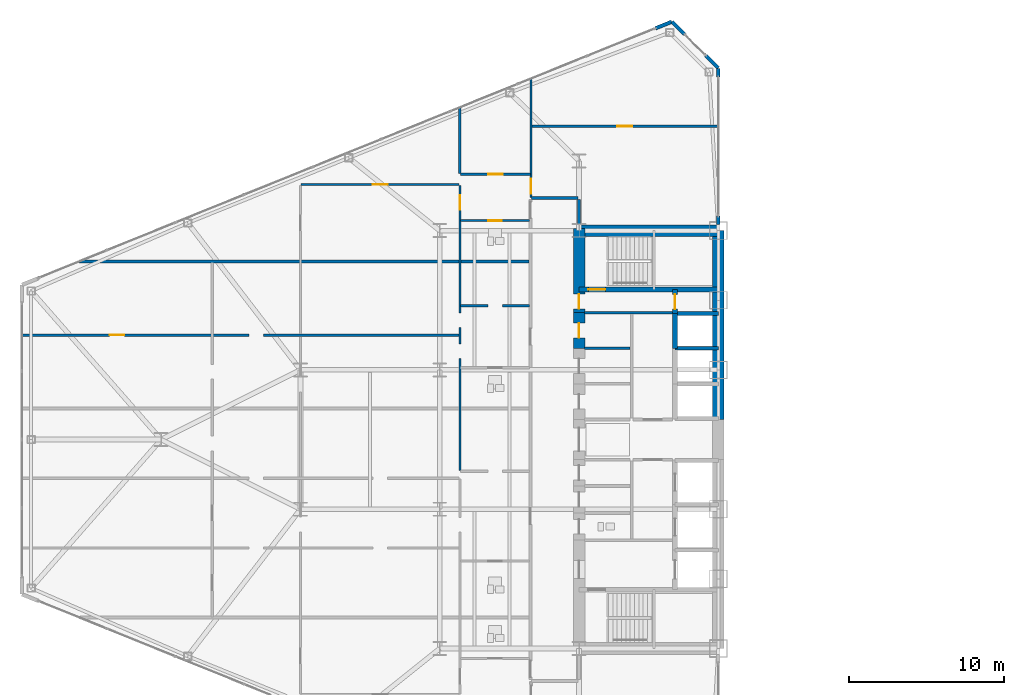
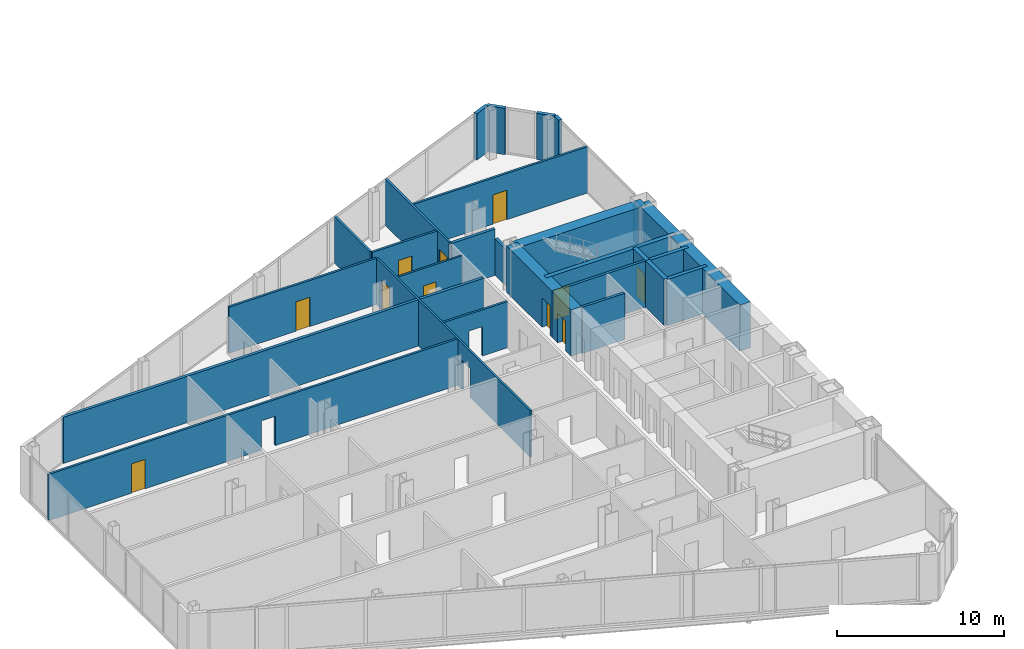
# One storey, part 19 of 25: 28 walls, 11 doors, 15 openings.
"""IFC4 building model written with IfcOpenShell, lengths in metres."""

from ifc_helpers import new_model, si_unit, direction, frame, frame_2d, origin, place, context, subcontext, project, spatial, rectangle, extrude, source, transform, mapped, material, layer, layer_set, type_object, type_shapes, element, fill, save


model = new_model("IFC4")

# Units and contexts
model_context = context("Model", 3, precision=1e-05, world=origin(), true_north=direction((0.0, 1.0)))
body_context = subcontext(model_context, "Body", "Model", "MODEL_VIEW")
ifc_project = project(units=[si_unit("LENGTHUNIT", "METRE"), si_unit("AREAUNIT", "SQUARE_METRE"), si_unit("VOLUMEUNIT", "CUBIC_METRE"), si_unit("PLANEANGLEUNIT", "RADIAN"), si_unit("MASSUNIT", "GRAM", prefix="KILO")], contexts=[model_context])

# Site, building, storey
site_placement = place(None, origin())
site = spatial("IfcSite", under=ifc_project, at=site_placement, CompositionType="ELEMENT")
building_placement = place(site_placement, origin())
building = spatial("IfcBuilding", under=site, at=building_placement, Name="Seokmaru Belvedere", CompositionType="ELEMENT")
storey_placement = place(building_placement, frame((0.0, 0.0, 33.300048828125)))
storey = spatial("IfcBuildingStorey", under=building, at=storey_placement, Name="L08", CompositionType="ELEMENT", Elevation=33.300048828125)

# Wall, openings, door
ifc_material_1 = material(Name="Fire-Rated Gypsum Shaftwall")
ifc_layer_1 = layer(ifc_material_1, 0.14990234375)
ifc_layer_set_1 = layer_set([ifc_layer_1], Name="Fire-Rated Gypsum Shaftwall")
wall_type_1 = type_object("IfcWallType", Name="Apartment Fire-Acoustic Room Partition 150", PredefinedType="PARTITIONING", material=ifc_layer_set_1)
wall_1_placement = place(storey_placement, frame((-72.534912109375, 6.75, 0.0), z_axis=(0.0, 0.0, 1.0), x_axis=(1.0, 0.0, 0.0)))
wall_1 = element("IfcWall", 1, at=wall_1_placement, inside=storey, type_object=wall_type_1, Name="L08 Interior Partition 024", PredefinedType="PARTITIONING", context=body_context, shape_type="SweptSolid", body=[
    extrude(rectangle(XDim=28.284912109375, YDim=0.14990234375, at=frame_2d((14.142578125, 0.0))), origin(), (0.0, 0.0, 1.0), 3.3798828125),
])
opening_1_placement = place(wall_1_placement, frame((5.7099609375, 0.0, 0.0)))
opening_1 = element("IfcOpeningElement", 2, at=opening_1_placement, cuts=wall_1, Name="Opening D05", PredefinedType="OPENING", context=body_context, shape_type="SweptSolid", body=[
    extrude(rectangle(XDim=0.949951171875, YDim=2.14990234375, at=frame_2d((0.47509765625, 1.074951171875))), frame((0.0, 0.0849609375, 0.0), z_axis=(0.0, -1.0, 0.0), x_axis=(1.0, 0.0, 0.0)), (0.0, 0.0, 1.0), 0.169921875),
])
opening_2_placement = place(wall_1_placement, frame((14.7099609375, 0.0, 0.0)))
element("IfcOpeningElement", 3, at=opening_2_placement, cuts=wall_1, Name="L08 Cased Opening 029", PredefinedType="OPENING", context=body_context, shape_type="SweptSolid", body=[
    extrude(rectangle(XDim=0.949951171875, YDim=2.14990234375, at=frame_2d((0.47509765625, 1.074951171875))), frame((0.0, 0.0849609375, 0.0), z_axis=(0.0, -1.0, 0.0), x_axis=(1.0, 0.0, 0.0)), (0.0, 0.0, 1.0), 0.169921875),
])
ifc_material_2 = material(Name="Engineered White Oak Timber", Category="wood")
door_type_1 = type_object("IfcDoorType", Name="Apartment Interior Fire-Rated Oak Door 950x2150", OperationType="NOTDEFINED", PredefinedType="DOOR", material=ifc_material_2)
shared_shape_1 = source(origin(), body_context, "Body", "SweptSolid", [
    extrude(rectangle(XDim=0.949951171875, YDim=2.14990234375, at=frame_2d((0.47509765625, 1.074951171875))), frame((0.0, 0.02490234375, 0.0), z_axis=(0.0, -1.0, 0.0), x_axis=(1.0, 0.0, 0.0)), (0.0, 0.0, 1.0), 0.050048828125),
])
type_shapes(door_type_1, [shared_shape_1])
door_1_placement = place(opening_1_placement, origin())
door_1 = element("IfcDoor", 4, at=door_1_placement, inside=storey, type_object=door_type_1, Name="L08 Interior Door 028", OperationType="SINGLE_SWING_LEFT", OverallHeight=2.14990234375, OverallWidth=0.949951171875, PredefinedType="DOOR", context=body_context, shape_type="MappedRepresentation", body=[
    mapped(shared_shape_1, transform((0.0, 0.0, 0.0), scale=1.0)),
])
fill(opening_1, door_1)

# Wall, opening
wall_2_placement = place(storey_placement, frame((-44.14990234375, 8.64990234375, 0.0), z_axis=(0.0, 0.0, 1.0), x_axis=(1.0, 0.0, 0.0)))
wall_2 = element("IfcWall", 5, at=wall_2_placement, inside=storey, type_object=wall_type_1, Name="L08 Interior Partition 026", PredefinedType="PARTITIONING", context=body_context, shape_type="SweptSolid", body=[
    extrude(rectangle(XDim=4.449951171875, YDim=0.14990234375, at=frame_2d((2.22509765625, 0.0))), origin(), (0.0, 0.0, 1.0), 3.3798828125),
])
opening_3_placement = place(wall_2_placement, frame((1.75, 0.0, 0.0)))
element("IfcOpeningElement", 6, at=opening_3_placement, cuts=wall_2, Name="L08 Cased Opening 023", PredefinedType="OPENING", context=body_context, shape_type="SweptSolid", body=[
    extrude(rectangle(XDim=0.949951171875, YDim=2.14990234375, at=frame_2d((0.47509765625, 1.074951171875))), frame((0.0, 0.0849609375, 0.0), z_axis=(0.0, -1.0, 0.0), x_axis=(1.0, 0.0, 0.0)), (0.0, 0.0, 1.0), 0.169921875),
])

# Wall, opening, door
wall_3_placement = place(storey_placement, frame((-54.449951171875, 16.47998046875, 0.0), z_axis=(0.0, 0.0, 1.0), x_axis=(1.0, 0.0, 0.0)))
wall_3 = element("IfcWall", 7, at=wall_3_placement, inside=storey, type_object=wall_type_1, Name="L08 Interior Partition 034", PredefinedType="PARTITIONING", context=body_context, shape_type="SweptSolid", body=[
    extrude(rectangle(XDim=10.199951171875, YDim=0.14990234375, at=frame_2d((5.10009765625, 0.0))), origin(), (0.0, 0.0, 1.0), 3.3798828125),
])
opening_4_placement = place(wall_3_placement, frame((4.625, 0.0, 0.0)))
opening_4 = element("IfcOpeningElement", 8, at=opening_4_placement, cuts=wall_3, Name="Opening D05", PredefinedType="OPENING", context=body_context, shape_type="SweptSolid", body=[
    extrude(rectangle(XDim=0.949951171875, YDim=2.14990234375, at=frame_2d((0.47509765625, 1.074951171875))), frame((0.0, 0.0849609375, 0.0), z_axis=(0.0, -1.0, 0.0), x_axis=(1.0, 0.0, 0.0)), (0.0, 0.0, 1.0), 0.169921875),
])
door_2_placement = place(opening_4_placement, origin())
door_2 = element("IfcDoor", 9, at=door_2_placement, inside=storey, type_object=door_type_1, Name="L08 Interior Door 036", OperationType="SINGLE_SWING_LEFT", OverallHeight=2.14990234375, OverallWidth=0.949951171875, PredefinedType="DOOR", context=body_context, shape_type="MappedRepresentation", body=[
    mapped(shared_shape_1, transform((0.0, 0.0, 0.0), scale=1.0)),
])
fill(opening_4, door_2)

wall_4_placement = place(storey_placement, frame((-44.14990234375, 17.139892578125, 0.0), z_axis=(0.0, 0.0, 1.0), x_axis=(1.0, 0.0, 0.0)))
wall_4 = element("IfcWall", 10, at=wall_4_placement, inside=storey, type_object=wall_type_1, Name="L08 Interior Partition 035", PredefinedType="PARTITIONING", context=body_context, shape_type="SweptSolid", body=[
    extrude(rectangle(XDim=4.5, YDim=0.14990234375, at=frame_2d((2.25, 0.0))), origin(), (0.0, 0.0, 1.0), 3.3798828125),
])
opening_5_placement = place(wall_4_placement, frame((1.77490234375, 0.0, 0.0)))
opening_5 = element("IfcOpeningElement", 11, at=opening_5_placement, cuts=wall_4, Name="Opening D05", PredefinedType="OPENING", context=body_context, shape_type="SweptSolid", body=[
    extrude(rectangle(XDim=0.949951171875, YDim=2.14990234375, at=frame_2d((0.47509765625, 1.074951171875))), frame((0.0, 0.0849609375, 0.0), z_axis=(0.0, -1.0, 0.0), x_axis=(1.0, 0.0, 0.0)), (0.0, 0.0, 1.0), 0.169921875),
])
door_3_placement = place(opening_5_placement, origin())
door_3 = element("IfcDoor", 12, at=door_3_placement, inside=storey, type_object=door_type_1, Name="L08 Interior Door 032", OperationType="SINGLE_SWING_LEFT", OverallHeight=2.14990234375, OverallWidth=0.949951171875, PredefinedType="DOOR", context=body_context, shape_type="MappedRepresentation", body=[
    mapped(shared_shape_1, transform((0.0, 0.0, 0.0), scale=1.0)),
])
fill(opening_5, door_3)

wall_5_placement = place(storey_placement, frame((-39.550048828125, 20.25, 0.0), z_axis=(0.0, 0.0, 1.0), x_axis=(1.0, 0.0, 0.0)))
wall_5 = element("IfcWall", 13, at=wall_5_placement, inside=storey, type_object=wall_type_1, Name="L08 Interior Partition 037", PredefinedType="PARTITIONING", context=body_context, shape_type="SweptSolid", body=[
    extrude(rectangle(XDim=12.0849609375, YDim=0.14990234375, at=frame_2d((6.04248046875, 0.0))), origin(), (0.0, 0.0, 1.0), 3.3798828125),
])
opening_6_placement = place(wall_5_placement, frame((5.52490234375, 0.0, 0.0)))
opening_6 = element("IfcOpeningElement", 14, at=opening_6_placement, cuts=wall_5, Name="Opening D05", PredefinedType="OPENING", context=body_context, shape_type="SweptSolid", body=[
    extrude(rectangle(XDim=0.949951171875, YDim=2.14990234375, at=frame_2d((0.47509765625, 1.074951171875))), frame((0.0, 0.0849609375, 0.0), z_axis=(0.0, -1.0, 0.0), x_axis=(1.0, 0.0, 0.0)), (0.0, 0.0, 1.0), 0.169921875),
])
door_4_placement = place(opening_6_placement, origin())
door_4 = element("IfcDoor", 15, at=door_4_placement, inside=storey, type_object=door_type_1, Name="L08 Interior Door 037", OperationType="SINGLE_SWING_RIGHT", OverallHeight=2.14990234375, OverallWidth=0.949951171875, PredefinedType="DOOR", context=body_context, shape_type="MappedRepresentation", body=[
    mapped(shared_shape_1, transform((0.0, 0.0, 0.0), scale=1.0)),
])
fill(opening_6, door_4)

# Wall
wall_6_placement = place(storey_placement, frame((-44.199951171875, 17.195068359375, 0.0), z_axis=(0.0, 0.0, 1.0), x_axis=(0.0, 1.0, 0.0)))
element("IfcWall", 16, at=wall_6_placement, inside=storey, type_object=wall_type_1, Name="L08 Interior Partition 044", PredefinedType="PARTITIONING", context=body_context, shape_type="SweptSolid", body=[
    extrude(rectangle(XDim=4.294921875, YDim=0.14990234375, at=frame_2d((2.1474609375, 0.0))), origin(), (0.0, 0.0, 1.0), 3.3798828125),
])

# Wall, opening, door
wall_7_placement = place(storey_placement, frame((-39.60009765625, 15.64990234375, 0.0), z_axis=(0.0, 0.0, 1.0), x_axis=(0.0, 1.0, 0.0)))
wall_7 = element("IfcWall", 17, at=wall_7_placement, inside=storey, type_object=wall_type_1, Name="L08 Interior Partition 047", PredefinedType="PARTITIONING", context=body_context, shape_type="SweptSolid", body=[
    extrude(rectangle(XDim=7.7021484375, YDim=0.14990234375, at=frame_2d((3.85107421875, 0.0))), origin(), (0.0, 0.0, 1.0), 3.3798828125),
])
opening_7_placement = place(wall_7_placement, frame((0.24755859375, 0.0, 0.0)))
opening_7 = element("IfcOpeningElement", 18, at=opening_7_placement, cuts=wall_7, Name="Opening D05", PredefinedType="OPENING", context=body_context, shape_type="SweptSolid", body=[
    extrude(rectangle(XDim=0.949951171875, YDim=2.14990234375, at=frame_2d((0.47509765625, 1.074951171875))), frame((0.0, 0.0849609375, 0.0), z_axis=(0.0, -1.0, 0.0), x_axis=(1.0, 0.0, 0.0)), (0.0, 0.0, 1.0), 0.169921875),
])
door_5_placement = place(opening_7_placement, origin())
door_5 = element("IfcDoor", 19, at=door_5_placement, inside=storey, type_object=door_type_1, Name="L08 Interior Door 034", OperationType="SINGLE_SWING_LEFT", OverallHeight=2.14990234375, OverallWidth=0.949951171875, PredefinedType="DOOR", context=body_context, shape_type="MappedRepresentation", body=[
    mapped(shared_shape_1, transform((0.0, 0.0, 0.0), scale=1.0)),
])
fill(opening_7, door_5)

# Walls
ifc_layer_2 = layer(ifc_material_1, 0.179931640625)
ifc_layer_set_2 = layer_set([ifc_layer_2], Name="Fire-Rated Gypsum Shaftwall")
wall_type_2 = type_object("IfcWallType", Name="Core Service Fire Partition 180", PredefinedType="PARTITIONING", material=ifc_layer_set_2)
wall_8_placement = place(storey_placement, frame((-36.14990234375, 8.199951171875, 0.0), z_axis=(0.0, 0.0, 1.0), x_axis=(1.0, 0.0, 0.0)))
element("IfcWall", 20, at=wall_8_placement, inside=storey, type_object=wall_type_2, Name="L08 West Smokeproof Vestibule Partition", PredefinedType="PARTITIONING", context=body_context, shape_type="SweptSolid", body=[
    extrude(rectangle(XDim=5.699951171875, YDim=0.179931640625, at=frame_2d((2.85009765625, 0.0))), origin(), (0.0, 0.0, 1.0), 3.3798828125),
])
wall_9_placement = place(storey_placement, frame((-36.14990234375, 5.89990234375, 0.0), z_axis=(0.0, 0.0, 1.0), x_axis=(1.0, 0.0, 0.0)))
element("IfcWall", 21, at=wall_9_placement, inside=storey, type_object=wall_type_2, Name="L08 West Core Service Partition 4", PredefinedType="PARTITIONING", context=body_context, shape_type="SweptSolid", body=[
    extrude(rectangle(XDim=2.949951171875, YDim=0.179931640625, at=frame_2d((1.47509765625, 0.0))), origin(), (0.0, 0.0, 1.0), 3.3798828125),
])
ifc_material_3 = material(Name="Concrete C50 (50 MPa)", Category="concrete")
ifc_layer_3 = layer(ifc_material_3, 0.25)
ifc_layer_set_3 = layer_set([ifc_layer_3], Name="Concrete C50 (50 MPa)")
wall_type_3 = type_object("IfcWallType", Name="Hoistway Transverse Concrete Divider Wall 250", PredefinedType="SHEAR", material=ifc_layer_set_3)
for number, where, z_axis, x_axis, name in (
    (22, (-30.300048828125, 5.89990234375, 0.0), (0.0, 0.0, 1.0), (1.0, 0.0, 0.0), "L08 West Hoistway Divider Core Wall 6"),
    (23, (-30.300048828125, 8.14990234375, 0.0), (0.0, 0.0, 1.0), (1.0, 0.0, 0.0), "L08 West Hoistway Divider Core Wall 7"),
):
    element("IfcWall", number, at=place(storey_placement, frame(where, z_axis=z_axis, x_axis=x_axis)), inside=storey, type_object=wall_type_3, Name=name, PredefinedType="SHEAR", context=body_context, shape_type="SweptSolid", body=[
        extrude(rectangle(XDim=2.800048828125, YDim=0.25, at=frame_2d((1.39990234375, 0.0))), origin(), (0.0, 0.0, 1.0), 3.3798828125),
    ])
ifc_layer_4 = layer(ifc_material_1, 0.199951171875)
ifc_layer_set_4 = layer_set([ifc_layer_4], Name="Fire-Rated Gypsum Shaftwall")
wall_type_4 = type_object("IfcWallType", Name="Inter-Tenancy Fire Compartment Partition 200", PredefinedType="PARTITIONING", material=ifc_layer_set_4)
wall_10_placement = place(storey_placement, frame((-68.806884765625, 11.5, 0.0), z_axis=(0.0, 0.0, 1.0), x_axis=(1.0, 0.0, 0.0)))
element("IfcWall", 24, at=wall_10_placement, inside=storey, type_object=wall_type_4, Name="L08 Interior Partition 028", PredefinedType="PARTITIONING", context=body_context, shape_type="SweptSolid", body=[
    extrude(rectangle(XDim=29.076904296875, YDim=0.199951171875, at=frame_2d((14.53857421875, 0.0))), origin(), (0.0, 0.0, 1.0), 3.3798828125),
])
wall_11_placement = place(storey_placement, frame((-39.56494140625, 15.60009765625, 0.0), z_axis=(0.0, 0.0, 1.0), x_axis=(1.0, 0.0, 0.0)))
element("IfcWall", 25, at=wall_11_placement, inside=storey, type_object=wall_type_4, Name="L08 Interior Partition 032", PredefinedType="PARTITIONING", context=body_context, shape_type="SweptSolid", body=[
    extrude(rectangle(XDim=2.97998046875, YDim=0.199951171875, at=frame_2d((1.489990234375, 0.0))), origin(), (0.0, 0.0, 1.0), 3.3798828125),
])
wall_12_placement = place(storey_placement, frame((-36.5, 13.8798828125, 0.0), z_axis=(0.0, 0.0, 1.0), x_axis=(0.0, 1.0, 0.0)))
element("IfcWall", 26, at=wall_12_placement, inside=storey, type_object=wall_type_4, Name="L08 Interior Partition 049", PredefinedType="PARTITIONING", context=body_context, shape_type="SweptSolid", body=[
    extrude(rectangle(XDim=1.635009765625, YDim=0.199951171875, at=frame_2d((0.8173828125, 0.0))), origin(), (0.0, 0.0, 1.0), 2.679931640625),
])

# Wall, opening, door
ifc_layer_5 = layer(ifc_material_3, 0.300048828125)
ifc_layer_set_5 = layer_set([ifc_layer_5], Name="Concrete C50 (50 MPa)")
wall_type_5 = type_object("IfcWallType", Name="Internal Core Stair and Hoistway Wall 300", PredefinedType="SHEAR", material=ifc_layer_set_5)
wall_13_placement = place(storey_placement, frame((-36.5, 9.699951171875, 0.0), z_axis=(0.0, 0.0, 1.0), x_axis=(1.0, 0.0, 0.0)))
wall_13 = element("IfcWall", 27, at=wall_13_placement, inside=storey, type_object=wall_type_5, Name="L08 West Stair ST-2 Enclosure Wall", PredefinedType="SHEAR", context=body_context, shape_type="SweptSolid", body=[
    extrude(rectangle(XDim=9.0, YDim=0.300048828125, at=frame_2d((4.5, 0.0))), origin(), (0.0, 0.0, 1.0), 3.3798828125),
])
opening_8_placement = place(wall_13_placement, frame((0.60009765625, 0.0, 0.0)))
opening_8 = element("IfcOpeningElement", 28, at=opening_8_placement, cuts=wall_13, Name="Opening D01", PredefinedType="OPENING", context=body_context, shape_type="SweptSolid", body=[
    extrude(rectangle(XDim=1.10009765625, YDim=2.199951171875, at=frame_2d((0.550048828125, 1.10009765625))), frame((0.0, 0.16015625, 0.0), z_axis=(0.0, -1.0, 0.0), x_axis=(1.0, 0.0, 0.0)), (0.0, 0.0, 1.0), 0.320068359375),
])
ifc_material_4 = material(Name="Fire-Rated Steel Leaf", Category="steel")
door_type_2 = type_object("IfcDoorType", Name="Special Escape Stair Smokeproof Fire Door 1100x2200", OperationType="NOTDEFINED", PredefinedType="DOOR", material=ifc_material_4)
shared_shape_2 = source(origin(), body_context, "Body", "SweptSolid", [
    extrude(rectangle(XDim=1.10009765625, YDim=2.199951171875, at=frame_2d((0.550048828125, 1.10009765625))), frame((0.0, 0.02490234375, 0.0), z_axis=(0.0, -1.0, 0.0), x_axis=(1.0, 0.0, 0.0)), (0.0, 0.0, 1.0), 0.050048828125),
])
type_shapes(door_type_2, [shared_shape_2])
door_6_placement = place(opening_8_placement, origin())
door_6 = element("IfcDoor", 29, at=door_6_placement, inside=storey, type_object=door_type_2, Name="L08 West Special Escape Stair ST-2 Door", OperationType="SINGLE_SWING_RIGHT", OverallHeight=2.199951171875, OverallWidth=1.10009765625, PredefinedType="DOOR", context=body_context, shape_type="MappedRepresentation", body=[
    mapped(shared_shape_2, transform((0.0, 0.0, 0.0), scale=1.0)),
])
fill(opening_8, door_6)

# Wall
wall_14_placement = place(storey_placement, frame((-30.300048828125, 5.89990234375, 0.0), z_axis=(0.0, 0.0, 1.0), x_axis=(0.0, 1.0, 0.0)))
element("IfcWall", 30, at=wall_14_placement, inside=storey, type_object=wall_type_5, Name="L08 West North Hoistway Wall OBS", PredefinedType="SHEAR", context=body_context, shape_type="SweptSolid", body=[
    extrude(rectangle(XDim=2.25, YDim=0.300048828125, at=frame_2d((1.125, 0.0))), origin(), (0.0, 0.0, 1.0), 3.3798828125),
])

# Wall, opening, door
wall_15_placement = place(storey_placement, frame((-30.300048828125, 8.14990234375, 0.0), z_axis=(0.0, 0.0, 1.0), x_axis=(0.0, 1.0, 0.0)))
wall_15 = element("IfcWall", 31, at=wall_15_placement, inside=storey, type_object=wall_type_5, Name="L08 West Electrical Riser Front Wall", PredefinedType="SHEAR", context=body_context, shape_type="SweptSolid", body=[
    extrude(rectangle(XDim=1.530029296875, YDim=0.300048828125, at=frame_2d((0.76513671875, 0.0))), origin(), (0.0, 0.0, 1.0), 3.3798828125),
])
opening_9_placement = place(wall_15_placement, frame((0.284912109375, 0.0, 0.0)))
opening_9 = element("IfcOpeningElement", 32, at=opening_9_placement, cuts=wall_15, Name="Opening D04", PredefinedType="OPENING", context=body_context, shape_type="SweptSolid", body=[
    extrude(rectangle(XDim=0.949951171875, YDim=2.14990234375, at=frame_2d((0.47509765625, 1.074951171875))), frame((0.0, 0.16015625, 0.0), z_axis=(0.0, -1.0, 0.0), x_axis=(1.0, 0.0, 0.0)), (0.0, 0.0, 1.0), 0.320068359375),
])
door_type_3 = type_object("IfcDoorType", Name="Core Service Room Fire Door 950x2150", OperationType="NOTDEFINED", PredefinedType="DOOR", material=ifc_material_4)
shared_shape_3 = source(origin(), body_context, "Body", "SweptSolid", [
    extrude(rectangle(XDim=0.949951171875, YDim=2.14990234375, at=frame_2d((0.47509765625, 1.074951171875))), frame((0.0, 0.02490234375, 0.0), z_axis=(0.0, -1.0, 0.0), x_axis=(1.0, 0.0, 0.0)), (0.0, 0.0, 1.0), 0.050048828125),
])
type_shapes(door_type_3, [shared_shape_3])
door_7_placement = place(opening_9_placement, origin())
door_7 = element("IfcDoor", 33, at=door_7_placement, inside=storey, type_object=door_type_3, Name="L08 West Electrical Riser Access Door", OperationType="SINGLE_SWING_LEFT", OverallHeight=2.14990234375, OverallWidth=0.949951171875, PredefinedType="DOOR", context=body_context, shape_type="MappedRepresentation", body=[
    mapped(shared_shape_3, transform((0.0, 0.0, 0.0), scale=1.0)),
])
fill(opening_9, door_7)

# Walls
ifc_material_5 = material(Name="Concrete C60 (60 MPa)", Category="concrete")
ifc_layer_6 = layer(ifc_material_5, 0.75)
ifc_layer_set_6 = layer_set([ifc_layer_6], Name="Concrete C60 (60 MPa)")
wall_type_6 = type_object("IfcWallType", Name="Lower Tower Reinforced Concrete Core Wall 750", PredefinedType="SHEAR", material=ifc_layer_set_6)
wall_16_placement = place(storey_placement, frame((-27.5, 1.300048828125, 0.0), z_axis=(0.0, 0.0, 1.0), x_axis=(0.0, 1.0, 0.0)))
element("IfcWall", 34, at=wall_16_placement, inside=storey, type_object=wall_type_6, Name="L08 West Portal Spine Core Wall North", PredefinedType="SHEAR", context=body_context, shape_type="SweptSolid", body=[
    extrude(rectangle(XDim=12.199951171875, YDim=0.75, at=frame_2d((6.10009765625, 0.0))), origin(), (0.0, 0.0, 1.0), 3.3798828125),
])
wall_17_placement = place(storey_placement, frame((-36.5, 13.5, 0.0), z_axis=(0.0, 0.0, 1.0), x_axis=(1.0, 0.0, 0.0)))
element("IfcWall", 35, at=wall_17_placement, inside=storey, type_object=wall_type_6, Name="L08 West North Core Wall", PredefinedType="SHEAR", context=body_context, shape_type="SweptSolid", body=[
    extrude(rectangle(XDim=9.0, YDim=0.75, at=frame_2d((4.5, 0.0))), origin(), (0.0, 0.0, 1.0), 3.3798828125),
])

# Wall, opening, door
wall_18_placement = place(storey_placement, frame((-36.5, 8.199951171875, 0.0), z_axis=(0.0, 0.0, 1.0), x_axis=(0.0, 1.0, 0.0)))
wall_18 = element("IfcWall", 36, at=wall_18_placement, inside=storey, type_object=wall_type_6, Name="L08 West West Core Wall VST", PredefinedType="SHEAR", context=body_context, shape_type="SweptSolid", body=[
    extrude(rectangle(XDim=5.449951171875, YDim=0.75, at=frame_2d((2.72509765625, 0.0))), origin(), (0.0, 0.0, 1.0), 3.3798828125),
])
opening_10_placement = place(wall_18_placement, frame((0.2451171875, 0.0, 0.0)))
opening_10 = element("IfcOpeningElement", 37, at=opening_10_placement, cuts=wall_18, Name="Opening D04", PredefinedType="OPENING", context=body_context, shape_type="SweptSolid", body=[
    extrude(rectangle(XDim=0.949951171875, YDim=2.14990234375, at=frame_2d((0.47509765625, 1.074951171875))), frame((0.0, 0.385009765625, 0.0), z_axis=(0.0, -1.0, 0.0), x_axis=(1.0, 0.0, 0.0)), (0.0, 0.0, 1.0), 0.77001953125),
])
door_8_placement = place(opening_10_placement, frame((0.949951171875, 0.0, 0.0), z_axis=(0.0, 0.0, 1.0), x_axis=(-1.0, 0.0, 0.0)))
door_8 = element("IfcDoor", 38, at=door_8_placement, inside=storey, type_object=door_type_3, Name="L08 West Smokeproof Vestibule Door", OperationType="SINGLE_SWING_RIGHT", OverallHeight=2.14990234375, OverallWidth=0.949951171875, PredefinedType="DOOR", context=body_context, shape_type="MappedRepresentation", body=[
    mapped(shared_shape_3, transform((0.0, 0.0, 0.0), scale=1.0)),
])
fill(opening_10, door_8)

wall_19_placement = place(storey_placement, frame((-36.5, 5.89990234375, 0.0), z_axis=(0.0, 0.0, 1.0), x_axis=(0.0, 1.0, 0.0)))
wall_19 = element("IfcWall", 39, at=wall_19_placement, inside=storey, type_object=wall_type_6, Name="L08 West West Core Wall CS6", PredefinedType="SHEAR", context=body_context, shape_type="SweptSolid", body=[
    extrude(rectangle(XDim=2.300048828125, YDim=0.75, at=frame_2d((1.14990234375, 0.0))), origin(), (0.0, 0.0, 1.0), 3.3798828125),
])
opening_11_placement = place(wall_19_placement, frame((0.675048828125, 0.0, 0.0)))
opening_11 = element("IfcOpeningElement", 40, at=opening_11_placement, cuts=wall_19, Name="Opening D04", PredefinedType="OPENING", context=body_context, shape_type="SweptSolid", body=[
    extrude(rectangle(XDim=0.949951171875, YDim=2.14990234375, at=frame_2d((0.47509765625, 1.074951171875))), frame((0.0, 0.385009765625, 0.0), z_axis=(0.0, -1.0, 0.0), x_axis=(1.0, 0.0, 0.0)), (0.0, 0.0, 1.0), 0.77001953125),
])
door_9_placement = place(opening_11_placement, origin())
door_9 = element("IfcDoor", 41, at=door_9_placement, inside=storey, type_object=door_type_3, Name="L08 West Core Service Room Door 6", OperationType="SINGLE_SWING_RIGHT", OverallHeight=2.14990234375, OverallWidth=0.949951171875, PredefinedType="DOOR", context=body_context, shape_type="MappedRepresentation", body=[
    mapped(shared_shape_3, transform((0.0, 0.0, 0.0), scale=1.0)),
])
fill(opening_11, door_9)

ifc_layer_7 = layer(ifc_material_1, 0.1298828125)
ifc_layer_set_7 = layer_set([ifc_layer_7], Name="Fire-Rated Gypsum Shaftwall")
wall_type_7 = type_object("IfcWallType", Name="Moisture-Resistant Fire-Rated Bathroom Partition 130", PredefinedType="PARTITIONING", material=ifc_layer_set_7)
wall_20_placement = place(storey_placement, frame((-44.14990234375, 14.139892578125, 0.0), z_axis=(0.0, 0.0, 1.0), x_axis=(1.0, 0.0, 0.0)))
wall_20 = element("IfcWall", 42, at=wall_20_placement, inside=storey, type_object=wall_type_7, Name="L08 Interior Partition 031", PredefinedType="PARTITIONING", context=body_context, shape_type="SweptSolid", body=[
    extrude(rectangle(XDim=4.449951171875, YDim=0.1298828125, at=frame_2d((2.22509765625, 0.0))), origin(), (0.0, 0.0, 1.0), 3.3798828125),
])
opening_12_placement = place(wall_20_placement, frame((1.784912109375, 0.0, 0.0)))
opening_12 = element("IfcOpeningElement", 43, at=opening_12_placement, cuts=wall_20, Name="Opening D06", PredefinedType="OPENING", context=body_context, shape_type="SweptSolid", body=[
    extrude(rectangle(XDim=0.8798828125, YDim=2.10009765625, at=frame_2d((0.43994140625, 1.050048828125))), frame((0.0, 0.074951171875, 0.0), z_axis=(0.0, -1.0, 0.0), x_axis=(1.0, 0.0, 0.0)), (0.0, 0.0, 1.0), 0.14990234375),
])
door_type_4 = type_object("IfcDoorType", Name="Bathroom and Restroom Fire-Rated Door 880x2100", OperationType="NOTDEFINED", PredefinedType="DOOR", material=ifc_material_2)
shared_shape_4 = source(origin(), body_context, "Body", "SweptSolid", [
    extrude(rectangle(XDim=0.8798828125, YDim=2.10009765625, at=frame_2d((0.43994140625, 1.050048828125))), frame((0.0, 0.02490234375, 0.0), z_axis=(0.0, -1.0, 0.0), x_axis=(1.0, 0.0, 0.0)), (0.0, 0.0, 1.0), 0.050048828125),
])
type_shapes(door_type_4, [shared_shape_4])
door_10_placement = place(opening_12_placement, origin())
door_10 = element("IfcDoor", 44, at=door_10_placement, inside=storey, type_object=door_type_4, Name="L08 Interior Door 031", OperationType="SINGLE_SWING_LEFT", OverallHeight=2.10009765625, OverallWidth=0.8798828125, PredefinedType="DOOR", context=body_context, shape_type="MappedRepresentation", body=[
    mapped(shared_shape_4, transform((0.0, 0.0, 0.0), scale=1.0)),
])
fill(opening_12, door_10)

# Wall, openings, door
wall_21_placement = place(storey_placement, frame((-44.199951171875, -1.998046875, 0.0), z_axis=(0.0, 0.0, 1.0), x_axis=(0.0, 1.0, 0.0)))
wall_21 = element("IfcWall", 45, at=wall_21_placement, inside=storey, type_object=wall_type_7, Name="L08 Interior Partition 043", PredefinedType="PARTITIONING", context=body_context, shape_type="SweptSolid", body=[
    extrude(rectangle(XDim=18.425048828125, YDim=0.1298828125, at=frame_2d((9.21240234375, 0.0))), origin(), (0.0, 0.0, 1.0), 3.3798828125),
])
opening_13_placement = place(wall_21_placement, frame((7.220458984375, 0.0, 0.0)))
element("IfcOpeningElement", 46, at=opening_13_placement, cuts=wall_21, Name="L08 Cased Opening 024", PredefinedType="OPENING", context=body_context, shape_type="SweptSolid", body=[
    extrude(rectangle(XDim=0.949951171875, YDim=2.14990234375, at=frame_2d((0.47509765625, 1.074951171875))), frame((0.0, 0.074951171875, 0.0), z_axis=(0.0, -1.0, 0.0), x_axis=(1.0, 0.0, 0.0)), (0.0, 0.0, 1.0), 0.14990234375),
])
opening_14_placement = place(wall_21_placement, frame((9.22412109375, 0.0, 0.0)))
element("IfcOpeningElement", 47, at=opening_14_placement, cuts=wall_21, Name="L08 Cased Opening 025", PredefinedType="OPENING", context=body_context, shape_type="SweptSolid", body=[
    extrude(rectangle(XDim=0.949951171875, YDim=2.14990234375, at=frame_2d((0.47509765625, 1.074951171875))), frame((0.0, 0.074951171875, 0.0), z_axis=(0.0, -1.0, 0.0), x_axis=(1.0, 0.0, 0.0)), (0.0, 0.0, 1.0), 0.14990234375),
])
opening_15_placement = place(wall_21_placement, frame((16.834228515625, 0.0, 0.0)))
opening_15 = element("IfcOpeningElement", 48, at=opening_15_placement, cuts=wall_21, Name="Opening D05", PredefinedType="OPENING", context=body_context, shape_type="SweptSolid", body=[
    extrude(rectangle(XDim=0.949951171875, YDim=2.14990234375, at=frame_2d((0.47509765625, 1.074951171875))), frame((0.0, 0.074951171875, 0.0), z_axis=(0.0, -1.0, 0.0), x_axis=(1.0, 0.0, 0.0)), (0.0, 0.0, 1.0), 0.14990234375),
])
door_11_placement = place(opening_15_placement, origin())
door_11 = element("IfcDoor", 49, at=door_11_placement, inside=storey, type_object=door_type_1, Name="L08 Interior Door 033", OperationType="SINGLE_SWING_RIGHT", OverallHeight=2.14990234375, OverallWidth=0.949951171875, PredefinedType="DOOR", context=body_context, shape_type="MappedRepresentation", body=[
    mapped(shared_shape_1, transform((0.0, 0.0, 0.0), scale=1.0)),
])
fill(opening_15, door_11)

# Walls
ifc_material_6 = material(Name="Anodised Bronze Aluminium", Category="aluminium")
ifc_layer_8 = layer(ifc_material_6, 0.239990234375)
ifc_layer_set_8 = layer_set([ifc_layer_8], Name="Anodised Bronze Aluminium")
wall_type_8 = type_object("IfcWallType", Name="Tower Corner Spandrel Closure Wall 240", PredefinedType="SOLIDWALL", material=ifc_layer_set_8)
wall_22_placement = place(storey_placement, frame((-27.5, 13.8798828125, 0.0), z_axis=(0.0, 0.0, 1.0), x_axis=(0.0, 1.0, 0.0)))
element("IfcWall", 50, at=wall_22_placement, inside=storey, type_object=wall_type_8, Name="L08 W Spine Closure Pier 2A", PredefinedType="SOLIDWALL", context=body_context, shape_type="SweptSolid", body=[
    extrude(rectangle(XDim=0.550048828125, YDim=0.239990234375, at=frame_2d((0.27490234375, 0.0))), origin(), (0.0, 0.0, 1.0), 2.8798828125),
])
wall_23_placement = place(storey_placement, frame((-27.5, 23.429931640625, 0.0), z_axis=(0.0, 0.0, 1.0), x_axis=(0.0, 1.0, 0.0)))
element("IfcWall", 51, at=wall_23_placement, inside=storey, type_object=wall_type_8, Name="L08 W Spine Closure Pier 2B", PredefinedType="SOLIDWALL", context=body_context, shape_type="SweptSolid", body=[
    extrude(rectangle(XDim=0.550048828125, YDim=0.239990234375, at=frame_2d((0.27490234375, 0.0))), origin(), (0.0, 0.0, 1.0), 3.3798828125),
])
for number, where, z_axis, x_axis, name in (
    (52, (-27.507080078125, 24.007080078125, 0.0), (0.0, 0.0, 1.0), (-0.707106781187, 0.707106781187, 0.0), "L08 W Corner Closure Pier 2A"),
    (53, (-29.686767578125, 26.186767578125, 0.0), (0.0, 0.0, 1.0), (-0.707106781187, 0.707106781187, 0.0), "L08 W Corner Closure Pier 2B"),
):
    element("IfcWall", number, at=place(storey_placement, frame(where, z_axis=z_axis, x_axis=x_axis)), inside=storey, type_object=wall_type_8, Name=name, PredefinedType="SOLIDWALL", context=body_context, shape_type="SweptSolid", body=[
        extrude(rectangle(XDim=1.14013671875, YDim=0.239990234375, at=frame_2d((0.570068359375, 0.0))), origin(), (0.0, 0.0, 1.0), 3.3798828125),
    ])
wall_24_placement = place(storey_placement, frame((-30.50927734375, 26.99609375, 0.0), z_axis=(0.0, 0.0, 1.0), x_axis=(-0.927007103665, -0.375043770452, 0.0)))
element("IfcWall", 54, at=wall_24_placement, inside=storey, type_object=wall_type_8, Name="L08 W Corner Closure Pier 3A", PredefinedType="SOLIDWALL", context=body_context, shape_type="SweptSolid", body=[
    extrude(rectangle(XDim=1.139892578125, YDim=0.239990234375, at=frame_2d((0.56982421875, 0.0))), origin(), (0.0, 0.0, 1.0), 3.3798828125),
])

save(model, "model.ifc")
